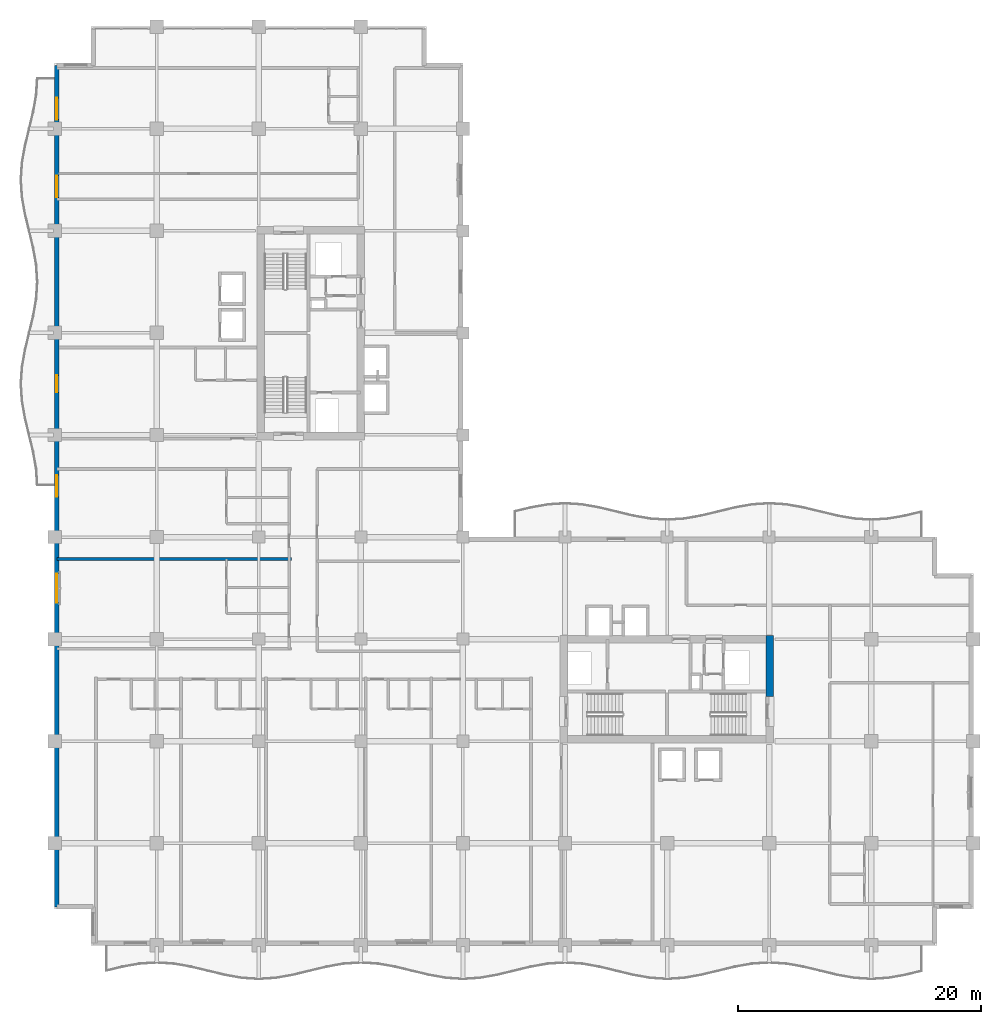
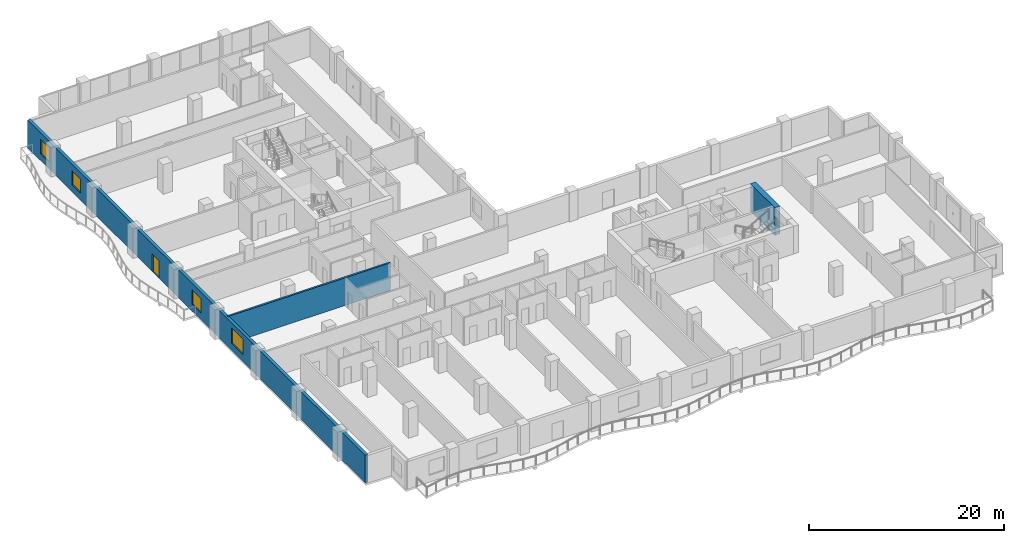
# One storey, part 9 of 19: 4 windows, 3 walls, 1 door, 5 openings.
"""IFC4 building model written with IfcOpenShell, lengths in metres."""

import ifcopenshell
import ifcopenshell.guid

model = None  # the IFC model being written
_history = None  # IfcOwnerHistory: only IFC2X3 demands one
_inside = {}  # id of a spatial element -> (the spatial element, [elements in it])
_under = {}  # id of a project, library or spatial element -> (it, [spatial elements below it])
_declared = {}  # id of a project -> (the project, [libraries it declares])
_typed = {}  # id of a type object -> (the type object, [elements of that type])
_made_of = {}  # id of a material, layer set ... -> (it, [elements and type objects made of it])


def new_model(schema):
    """Start an empty IFC model of exactly this schema.

    Asked for "IFC4X3", IfcOpenShell would pick the latest addendum, in which some entities
    have other attributes; the version numbers below select the first issue.
    IFC2X3 requires an IfcOwnerHistory on every rooted entity: one is made here for all.
    """
    global model, _history
    if schema == "IFC4X3":
        model = ifcopenshell.file(schema_version=(4, 3, 0, 0))
    else:
        model = ifcopenshell.file(schema=schema)
    _inside.clear()
    _under.clear()
    _declared.clear()
    _typed.clear()
    _made_of.clear()
    _history = None
    if model.schema == "IFC2X3":
        org = make("IfcOrganization", Name="unknown")
        user = make(
            "IfcPersonAndOrganization",
            ThePerson=make("IfcPerson", FamilyName="unknown"),
            TheOrganization=org,
        )
        app = make(
            "IfcApplication",
            ApplicationDeveloper=org,
            Version="unknown",
            ApplicationFullName="unknown",
            ApplicationIdentifier="unknown",
        )
        _history = make(
            "IfcOwnerHistory",
            OwningUser=user,
            OwningApplication=app,
            ChangeAction="ADDED",
            CreationDate=0,
        )
    return model


def make(cls, **values):
    """One entity of the class cls with the attributes given. An attribute that is None is left unset."""
    return model.create_entity(
        cls, **{name: value for name, value in values.items() if value is not None}
    )


def rooted(cls, **values):
    """An entity with a GlobalId (a new one), such as an element, a storey or a relation."""
    return make(cls, GlobalId=ifcopenshell.guid.new(), OwnerHistory=_history, **values)


def si_unit(unit_type, name, prefix=None):
    """IfcSIUnit, for example si_unit("LENGTHUNIT", "METRE", prefix="MILLI")."""
    return make("IfcSIUnit", UnitType=unit_type, Prefix=prefix, Name=name)


def assignment(units):
    """IfcUnitAssignment: the units of a project."""
    return None if units is None else make("IfcUnitAssignment", Units=units)


def point(xyz):
    """IfcCartesianPoint."""
    return None if xyz is None else make("IfcCartesianPoint", Coordinates=xyz)


def direction(xyz):
    """IfcDirection."""
    return None if xyz is None else make("IfcDirection", DirectionRatios=xyz)


def frame(location, z_axis=None, x_axis=None):
    """IfcAxis2Placement3D, a coordinate frame: its origin and axes. An axis left out is left unset."""
    return make(
        "IfcAxis2Placement3D",
        Location=point(location),
        Axis=direction(z_axis),
        RefDirection=direction(x_axis),
    )


def frame_2d(location, x_axis=None):
    """IfcAxis2Placement2D, a coordinate frame in the plane: its origin and x axis."""
    return make(
        "IfcAxis2Placement2D", Location=point(location), RefDirection=direction(x_axis)
    )


def origin():
    """The frame at (0, 0, 0) with its axes left unset."""
    return frame((0.0, 0.0, 0.0))


def place(relative_to, where):
    """IfcLocalPlacement: puts the frame where relative to a parent placement (None: the world)."""
    return make(
        "IfcLocalPlacement", PlacementRelTo=relative_to, RelativePlacement=where
    )


def context(
    kind, dimensions, precision=None, world=None, true_north=None, identifier=None
):
    """IfcGeometricRepresentationContext, for example the 3D "Model" context."""
    return make(
        "IfcGeometricRepresentationContext",
        ContextIdentifier=identifier,
        ContextType=kind,
        CoordinateSpaceDimension=dimensions,
        Precision=precision,
        WorldCoordinateSystem=world,
        TrueNorth=true_north,
    )


def subcontext(parent, identifier, kind, view, scale=None):
    """IfcGeometricRepresentationSubContext, for example "Body" below "Model"."""
    return make(
        "IfcGeometricRepresentationSubContext",
        ContextIdentifier=identifier,
        ContextType=kind,
        ParentContext=parent,
        TargetScale=scale,
        TargetView=view,
    )


def project(units=None, contexts=None):
    """IfcProject with its units and contexts."""
    return rooted(
        "IfcProject",
        Name="project",
        RepresentationContexts=contexts,
        UnitsInContext=assignment(units),
    )


def spatial(cls, under=None, at=None, **own):
    """A site, building, storey or space (cls), placed at a placement, below another one or the project."""
    s = rooted(cls, ObjectPlacement=at, **own)
    if under is not None:
        _under.setdefault(under.id(), (under, []))[1].append(s)
    return s


def profile(cls, at=None, kind="AREA", **sizes):
    """A parametric profile (cls). Its sizes go by their IFC names, for example OverallWidth=200.0."""
    return make(cls, ProfileType=kind, Position=at, **sizes)


def rectangle(**sizes):
    """IfcRectangleProfileDef."""
    return profile("IfcRectangleProfileDef", **sizes)


def extrude(swept, where, along, depth):
    """IfcExtrudedAreaSolid: the profile swept, set in the frame where, extruded along a direction by depth."""
    return make(
        "IfcExtrudedAreaSolid",
        SweptArea=swept,
        Position=where,
        ExtrudedDirection=direction(along),
        Depth=depth,
    )


def shape(context_of_items, identifier, shape_type, items):
    """IfcShapeRepresentation: the items that make up one representation, for example the "Body"."""
    return make(
        "IfcShapeRepresentation",
        ContextOfItems=context_of_items,
        RepresentationIdentifier=identifier,
        RepresentationType=shape_type,
        Items=items,
    )


def material(Name=None, Category=None):
    """IfcMaterial."""
    return make("IfcMaterial", Name=Name, Category=Category)


def layer(
    of_material, thickness, ventilated=None, Name=None, Category=None, Priority=None
):
    """IfcMaterialLayer: one layer of a wall or slab, of a material (None: an air gap)."""
    return make(
        "IfcMaterialLayer",
        Material=of_material,
        LayerThickness=thickness,
        IsVentilated=ventilated,
        Name=Name,
        Category=Category,
        Priority=Priority,
    )


def layer_set(layers, Name=None):
    """IfcMaterialLayerSet."""
    return make("IfcMaterialLayerSet", MaterialLayers=layers, LayerSetName=Name)


def made_of(thing, what):
    """Note that an element or type object is made of a material, layer set ...; save() writes the relation."""
    if what is not None:
        _made_of.setdefault(what.id(), (what, []))[1].append(thing)
    return thing


def type_object(cls, material=None, **own):
    """A type object (cls), such as IfcWallType, which elements share."""
    return made_of(rooted(cls, **own), material)


def element(
    cls,
    number,
    at=None,
    inside=None,
    cuts=None,
    type_object=None,
    material=None,
    context=None,
    identifier="Body",
    shape_type=None,
    held_by="IfcProductDefinitionShape",
    body=None,
    shapes=None,
    **own,
):
    """One element of the class cls, such as IfcWall. Its Tag is "e" and its number.

    at: its placement. inside: the storey or other place that contains it. cuts: it is an
    opening in that element (IfcRelVoidsElement). A single representation is given by context,
    identifier, shape_type and body (its items); several are given by shapes. held_by: the class
    of the entity that holds the representations. save() writes the other relations.
    """
    e = rooted(cls, Tag="e%d" % number, ObjectPlacement=at, **own)
    if body is not None:
        shapes = [shape(context, identifier, shape_type, body)]
    if shapes is not None:
        e.Representation = make(held_by, Representations=shapes)
    if inside is not None:
        _inside.setdefault(inside.id(), (inside, []))[1].append(e)
    if cuts is not None:
        rooted(
            "IfcRelVoidsElement", RelatingBuildingElement=cuts, RelatedOpeningElement=e
        )
    if type_object is not None:
        _typed.setdefault(type_object.id(), (type_object, []))[1].append(e)
    return made_of(e, material)


def fill(opening, filler):
    """IfcRelFillsElement: the door or window that sits in an opening."""
    return rooted(
        "IfcRelFillsElement",
        RelatingOpeningElement=opening,
        RelatedBuildingElement=filler,
    )


def aggregate(whole, parts):
    """IfcRelAggregates: a whole, such as a stair, and the parts it consists of."""
    return rooted("IfcRelAggregates", RelatingObject=whole, RelatedObjects=parts)


def save(model, path):
    """Write the relations noted so far, then the file.

    IfcRelAggregates (storeys below a building ...), IfcRelContainedInSpatialStructure (elements
    in a storey), IfcRelDefinesByType, IfcRelAssociatesMaterial and IfcRelDeclares: one each for
    every whole, place, type object, material and project.
    """
    for whole, parts in _under.values():
        aggregate(whole, parts)
    for where, things in _inside.values():
        rooted(
            "IfcRelContainedInSpatialStructure",
            RelatedElements=things,
            RelatingStructure=where,
        )
    for kind, things in _typed.values():
        rooted("IfcRelDefinesByType", RelatedObjects=things, RelatingType=kind)
    for what, things in _made_of.values():
        rooted("IfcRelAssociatesMaterial", RelatedObjects=things, RelatingMaterial=what)
    for by, libraries in _declared.values():
        rooted("IfcRelDeclares", RelatingContext=by, RelatedDefinitions=libraries)
    model.write(path)


model = new_model("IFC4")

# Units and contexts
model_context = context("Model", 3, precision=1e-05, world=origin(), true_north=direction((0.0, 1.0)))
body_context = subcontext(model_context, "Body", "Model", "MODEL_VIEW")
ifc_project = project(units=[si_unit("LENGTHUNIT", "METRE"), si_unit("AREAUNIT", "SQUARE_METRE"), si_unit("VOLUMEUNIT", "CUBIC_METRE"), si_unit("PLANEANGLEUNIT", "RADIAN"), si_unit("MASSUNIT", "GRAM", prefix="KILO")], contexts=[model_context])

# Site, building, storey
site_placement = place(None, origin())
site = spatial("IfcSite", under=ifc_project, at=site_placement, CompositionType="ELEMENT")
building_placement = place(site_placement, origin())
building = spatial("IfcBuilding", under=site, at=building_placement, Name="Koriwani Terraces Tower", CompositionType="ELEMENT")
storey_placement = place(building_placement, frame((0.0, 0.0, 190.199951171875)))
storey = spatial("IfcBuildingStorey", under=building, at=storey_placement, Name="L46", CompositionType="ELEMENT", Elevation=190.199951171875)

# Walls
ifc_material_1 = material(Name="Concrete C60/75", Category="concrete")
ifc_layer_1 = layer(ifc_material_1, 0.60009765625, Name="Concrete C60/75")
ifc_layer_set_1 = layer_set([ifc_layer_1], Name="Concrete C60/75")
wall_type_1 = type_object("IfcWallType", Name="WALL_CORE_RC_600", PredefinedType="SHEAR", material=ifc_layer_set_1)
wall_1_placement = place(storey_placement, frame((58.85009765625, 20.5, 0.0), z_axis=(0.0, 0.0, 1.0), x_axis=(0.0, 1.0, 0.0)))
element("IfcWall", 1, at=wall_1_placement, inside=storey, type_object=wall_type_1, Name="L46 East Split Core Shear Wall E2", PredefinedType="SHEAR", context=body_context, shape_type="SweptSolid", body=[
    extrude(rectangle(XDim=5.0, YDim=0.60009765625, at=frame_2d((2.5, 0.0))), origin(), (0.0, 0.0, 1.0), 3.469970703125),
])
ifc_material_2 = material(Name="Autoclaved Cellular Concrete Blockwork", Category="masonry")
ifc_layer_2 = layer(ifc_material_2, 0.219970703125, Name="Autoclaved Cellular Concrete Blockwork")
ifc_layer_set_2 = layer_set([ifc_layer_2], Name="Autoclaved Cellular Concrete Blockwork")
wall_type_2 = type_object("IfcWallType", Name="WALL_DEMISING_220", PredefinedType="PARTITIONING", material=ifc_layer_set_2)
wall_2_placement = place(storey_placement, frame((0.199951171875, 31.800048828125, 0.0), z_axis=(0.0, 0.0, 1.0), x_axis=(1.0, 0.0, 0.0)))
element("IfcWall", 2, at=wall_2_placement, inside=storey, type_object=wall_type_2, Name="L46 Interior Wall WRDEM-L46-NW-1", PredefinedType="PARTITIONING", context=body_context, shape_type="SweptSolid", body=[
    extrude(rectangle(XDim=19.280029296875, YDim=0.219970703125, at=frame_2d((9.64013671875, 0.0))), origin(), (0.0, 0.0, 1.0), 3.469970703125),
])

# Wall, openings, door, windows
ifc_material_3 = material(Name="Concrete C50/60", Category="concrete")
ifc_layer_3 = layer(ifc_material_3, 0.35009765625, Name="Concrete C50/60")
ifc_layer_set_3 = layer_set([ifc_layer_3], Name="Concrete C50/60")
wall_type_3 = type_object("IfcWallType", Name="WALL_EXT_BRUTALIST_350", PredefinedType="STANDARD", material=ifc_layer_set_3)
wall_3_placement = place(storey_placement, frame((0.175048828125, 3.175048828125, 0.0), z_axis=(0.0, 0.0, 1.0), x_axis=(0.0, 1.0, 0.0)))
wall_3 = element("IfcWall", 3, at=wall_3_placement, inside=storey, type_object=wall_type_3, Name="L46 Fair-Faced Brutalist Exterior Wall (W)", PredefinedType="STANDARD", context=body_context, shape_type="SweptSolid", body=[
    extrude(rectangle(XDim=69.25, YDim=0.35009765625, at=frame_2d((34.625, 0.0))), origin(), (0.0, 0.0, 1.0), 3.469970703125),
])
opening_1_placement = place(wall_3_placement, frame((42.324951171875, 0.0, 0.0)))
opening_1 = element("IfcOpeningElement", 4, at=opening_1_placement, cuts=wall_3, Name="Opening D-09", PredefinedType="OPENING", context=body_context, shape_type="SweptSolid", body=[
    extrude(rectangle(XDim=1.39990234375, YDim=2.199951171875, at=frame_2d((0.699951171875, 1.10009765625))), frame((0.0, 0.18505859375, 0.0), z_axis=(0.0, -1.0, 0.0), x_axis=(1.0, 0.0, 0.0)), (0.0, 0.0, 1.0), 0.3701171875),
])
opening_2_placement = place(wall_3_placement, frame((25.02490234375, 0.0, 0.85009765625)))
opening_2 = element("IfcOpeningElement", 5, at=opening_2_placement, cuts=wall_3, Name="Opening W-03", PredefinedType="OPENING", context=body_context, shape_type="SweptSolid", body=[
    extrude(rectangle(XDim=2.39990234375, YDim=1.949951171875, at=frame_2d((1.199951171875, 0.97509765625))), frame((0.0, 0.18505859375, 0.0), z_axis=(0.0, -1.0, 0.0), x_axis=(1.0, 0.0, 0.0)), (0.0, 0.0, 1.0), 0.3701171875),
])
opening_3_placement = place(wall_3_placement, frame((33.72509765625, 0.0, 0.85009765625)))
opening_3 = element("IfcOpeningElement", 6, at=opening_3_placement, cuts=wall_3, Name="Opening W-04", PredefinedType="OPENING", context=body_context, shape_type="SweptSolid", body=[
    extrude(rectangle(XDim=1.800048828125, YDim=1.800048828125, at=frame_2d((0.89990234375, 0.89990234375))), frame((0.0, 0.18505859375, 0.0), z_axis=(0.0, -1.0, 0.0), x_axis=(1.0, 0.0, 0.0)), (0.0, 0.0, 1.0), 0.3701171875),
])
opening_4_placement = place(wall_3_placement, frame((58.375, 0.0, 0.85009765625)))
opening_4 = element("IfcOpeningElement", 7, at=opening_4_placement, cuts=wall_3, Name="Opening W-04", PredefinedType="OPENING", context=body_context, shape_type="SweptSolid", body=[
    extrude(rectangle(XDim=1.800048828125, YDim=1.800048828125, at=frame_2d((0.89990234375, 0.89990234375))), frame((0.0, 0.18505859375, 0.0), z_axis=(0.0, -1.0, 0.0), x_axis=(1.0, 0.0, 0.0)), (0.0, 0.0, 1.0), 0.3701171875),
])
opening_5_placement = place(wall_3_placement, frame((64.77490234375, 0.0, 0.85009765625)))
opening_5 = element("IfcOpeningElement", 8, at=opening_5_placement, cuts=wall_3, Name="Opening W-04", PredefinedType="OPENING", context=body_context, shape_type="SweptSolid", body=[
    extrude(rectangle(XDim=1.800048828125, YDim=1.800048828125, at=frame_2d((0.89990234375, 0.89990234375))), frame((0.0, 0.18505859375, 0.0), z_axis=(0.0, -1.0, 0.0), x_axis=(1.0, 0.0, 0.0)), (0.0, 0.0, 1.0), 0.3701171875),
])
ifc_material_4 = material(Name="Anodised Bronze Aluminium", Category="aluminium")
door_type = type_object("IfcDoorType", Name="DOOR_BALCONY_GLAZED_1400X2200", OperationType="NOTDEFINED", PredefinedType="DOOR", material=ifc_material_4)
door_placement = place(opening_1_placement, origin())
door = element("IfcDoor", 9, at=door_placement, inside=storey, type_object=door_type, Name="L46 West Balcony Glazed Door", OperationType="SINGLE_SWING_LEFT", OverallHeight=2.199951171875, OverallWidth=1.39990234375, PredefinedType="DOOR", context=body_context, shape_type="SweptSolid", body=[
    extrude(rectangle(XDim=1.39990234375, YDim=2.199951171875, at=frame_2d((0.699951171875, 1.10009765625))), frame((0.0, 0.02490234375, 0.0), z_axis=(0.0, -1.0, 0.0), x_axis=(1.0, 0.0, 0.0)), (0.0, 0.0, 1.0), 0.050048828125),
])
fill(opening_1, door)
ifc_material_5 = material(Name="Tempered Laminated Low-E Glass", Category="glass")
window_type_1 = type_object("IfcWindowType", Name="WIN_RES_BED_1800X1800", PartitioningType="DOUBLE_PANEL_VERTICAL", PredefinedType="WINDOW", material=ifc_material_5)
window_1_placement = place(opening_3_placement, origin())
window_1 = element("IfcWindow", 10, at=window_1_placement, inside=storey, type_object=window_type_1, Name="L46 Exterior Window (W-12)", OverallHeight=1.800048828125, OverallWidth=1.800048828125, PartitioningType="SINGLE_PANEL", PredefinedType="WINDOW", context=body_context, shape_type="SweptSolid", body=[
    extrude(rectangle(XDim=1.800048828125, YDim=1.800048828125, at=frame_2d((0.89990234375, 0.89990234375))), frame((0.0, 0.030029296875, 0.0), z_axis=(0.0, -1.0, 0.0), x_axis=(1.0, 0.0, 0.0)), (0.0, 0.0, 1.0), 0.06005859375),
])
fill(opening_3, window_1)
window_2_placement = place(opening_4_placement, origin())
window_2 = element("IfcWindow", 11, at=window_2_placement, inside=storey, type_object=window_type_1, Name="L46 Exterior Window (W-R56)", OverallHeight=1.800048828125, OverallWidth=1.800048828125, PartitioningType="SINGLE_PANEL", PredefinedType="WINDOW", context=body_context, shape_type="SweptSolid", body=[
    extrude(rectangle(XDim=1.800048828125, YDim=1.800048828125, at=frame_2d((0.89990234375, 0.89990234375))), frame((0.0, 0.030029296875, 0.0), z_axis=(0.0, -1.0, 0.0), x_axis=(1.0, 0.0, 0.0)), (0.0, 0.0, 1.0), 0.06005859375),
])
fill(opening_4, window_2)
window_3_placement = place(opening_5_placement, origin())
window_3 = element("IfcWindow", 12, at=window_3_placement, inside=storey, type_object=window_type_1, Name="L46 Exterior Window (W-R57)", OverallHeight=1.800048828125, OverallWidth=1.800048828125, PartitioningType="SINGLE_PANEL", PredefinedType="WINDOW", context=body_context, shape_type="SweptSolid", body=[
    extrude(rectangle(XDim=1.800048828125, YDim=1.800048828125, at=frame_2d((0.89990234375, 0.89990234375))), frame((0.0, 0.030029296875, 0.0), z_axis=(0.0, -1.0, 0.0), x_axis=(1.0, 0.0, 0.0)), (0.0, 0.0, 1.0), 0.06005859375),
])
fill(opening_5, window_3)
window_type_2 = type_object("IfcWindowType", Name="WIN_RES_LIVING_2400X1950", PartitioningType="DOUBLE_PANEL_VERTICAL", PredefinedType="WINDOW", material=ifc_material_5)
window_4_placement = place(opening_2_placement, origin())
window_4 = element("IfcWindow", 13, at=window_4_placement, inside=storey, type_object=window_type_2, Name="L46 Exterior Window (W-9)", OverallHeight=1.949951171875, OverallWidth=2.39990234375, PartitioningType="SINGLE_PANEL", PredefinedType="WINDOW", context=body_context, shape_type="SweptSolid", body=[
    extrude(rectangle(XDim=2.39990234375, YDim=1.949951171875, at=frame_2d((1.199951171875, 0.97509765625))), frame((0.0, 0.030029296875, 0.0), z_axis=(0.0, -1.0, 0.0), x_axis=(1.0, 0.0, 0.0)), (0.0, 0.0, 1.0), 0.06005859375),
])
fill(opening_2, window_4)

save(model, "model.ifc")
